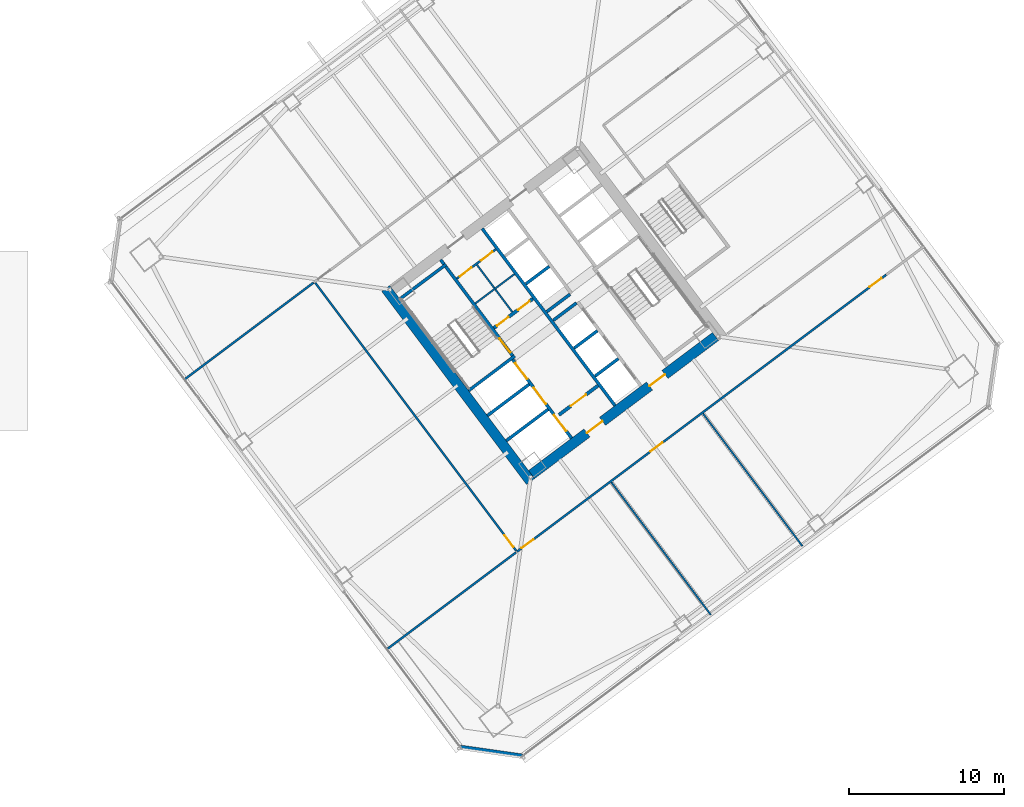
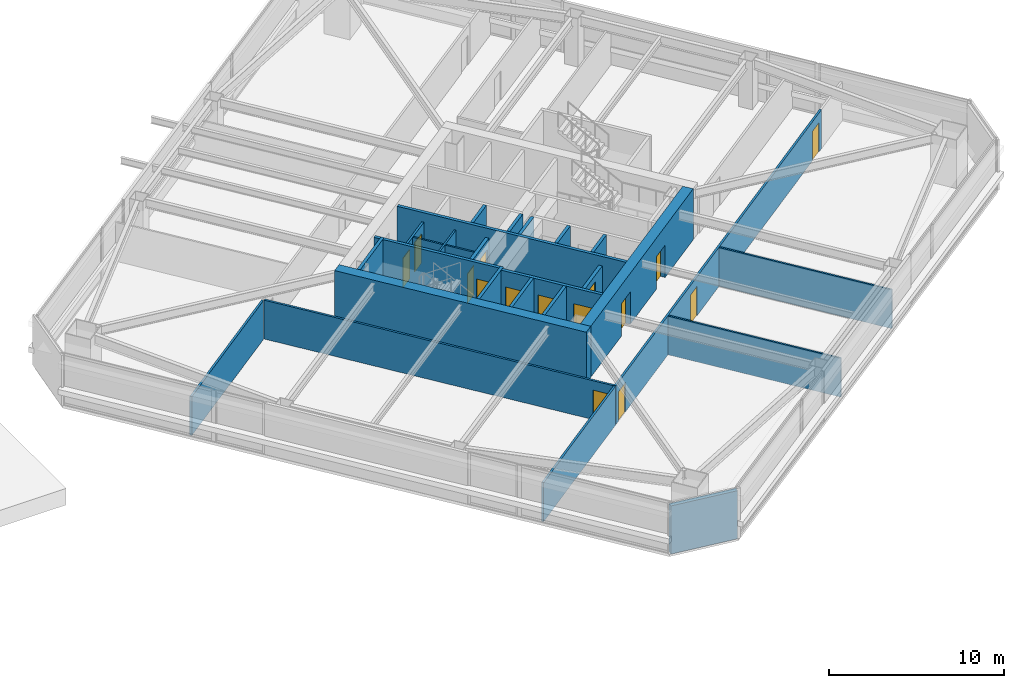
# One storey, part 36 of 46: 26 walls, 15 doors, 15 openings.
"""IFC4 building model written with IfcOpenShell, lengths in metres."""

from ifc_helpers import new_model, si_unit, direction, frame, frame_2d, origin, place, context, subcontext, project, spatial, rectangle, extrude, material, layer, layer_set, type_object, element, fill, save


model = new_model("IFC4")

# Units and contexts
model_context = context("Model", 3, precision=1e-05, world=origin(), true_north=direction((0.0, 1.0)))
body_context = subcontext(model_context, "Body", "Model", "MODEL_VIEW")
ifc_project = project(units=[si_unit("LENGTHUNIT", "METRE"), si_unit("AREAUNIT", "SQUARE_METRE"), si_unit("VOLUMEUNIT", "CUBIC_METRE"), si_unit("PLANEANGLEUNIT", "RADIAN"), si_unit("MASSUNIT", "GRAM", prefix="KILO")], contexts=[model_context])

# Site, building, storey
site_placement = place(None, origin())
site = spatial("IfcSite", under=ifc_project, at=site_placement, CompositionType="ELEMENT")
building_placement = place(site_placement, origin())
building = spatial("IfcBuilding", under=site, at=building_placement, Name="Tashvorn Skyway Center", CompositionType="ELEMENT")
storey_placement = place(building_placement, frame((0.0, 0.0, 31.699951171875)))
storey = spatial("IfcBuildingStorey", under=building, at=storey_placement, Name="L07", CompositionType="ELEMENT", Elevation=31.699951171875)

# Wall
ifc_material_1 = material(Name="Concrete C60/75", Category="concrete")
ifc_layer_1 = layer(ifc_material_1, 0.64990234375)
ifc_layer_set_1 = layer_set([ifc_layer_1], Name="Concrete C60/75")
wall_type_1 = type_object("IfcWallType", Name="WALL-CORE-650", PredefinedType="SHEAR", material=ifc_layer_set_1)
wall_1_placement = place(storey_placement, frame((112.47607421875, 21.10693359375, 0.0), z_axis=(0.0, 0.0, 1.0), x_axis=(-0.600005007985, 0.799996243986, 0.0)))
element("IfcWall", 1, at=wall_1_placement, inside=storey, type_object=wall_type_1, Name="Tower 2 L07 West Core Shear Wall", PredefinedType="SHEAR", context=body_context, shape_type="SweptSolid", body=[
    extrude(rectangle(XDim=15.60009765625, YDim=0.64990234375, at=frame_2d((7.800048828125, 0.0))), origin(), (0.0, 0.0, 1.0), 3.550048828125),
])

# Wall, openings, doors
wall_2_placement = place(storey_placement, frame((124.428955078125, 30.47802734375, 0.0), z_axis=(0.0, 0.0, 1.0), x_axis=(-0.799998028465, -0.600002628705, 0.0)))
wall_2 = element("IfcWall", 2, at=wall_2_placement, inside=storey, type_object=wall_type_1, Name="Tower 2 L07 South Core Shear Wall", PredefinedType="SHEAR", context=body_context, shape_type="SweptSolid", body=[
    extrude(rectangle(XDim=14.85986328125, YDim=0.64990234375, at=frame_2d((7.429931640625, 0.0))), origin(), (0.0, 0.0, 1.0), 3.550048828125),
])
opening_1_placement = place(wall_2_placement, frame((9.1298828125, 0.0, 0.0)))
opening_1 = element("IfcOpeningElement", 3, at=opening_1_placement, cuts=wall_2, Name="Opening D-FFL-1250", PredefinedType="OPENING", context=body_context, shape_type="SweptSolid", body=[
    extrude(rectangle(XDim=1.25, YDim=2.25, at=frame_2d((0.625, 1.125))), frame((0.0, 0.3349609375, 0.0), z_axis=(0.0, -1.0, 0.0), x_axis=(1.0, 0.0, 0.0)), (0.0, 0.0, 1.0), 0.669921875),
])
opening_2_placement = place(wall_2_placement, frame((4.080078125, 0.0, 0.0)))
opening_2 = element("IfcOpeningElement", 4, at=opening_2_placement, cuts=wall_2, Name="Opening D-FFL-1250", PredefinedType="OPENING", context=body_context, shape_type="SweptSolid", body=[
    extrude(rectangle(XDim=1.25, YDim=2.25, at=frame_2d((0.625, 1.125))), frame((0.0, 0.3349609375, 0.0), z_axis=(0.0, -1.0, 0.0), x_axis=(1.0, 0.0, 0.0)), (0.0, 0.0, 1.0), 0.669921875),
])
ifc_material_2 = material(Name="Hollow galvanized steel fire door assembly", Category="steel")
door_type_1 = type_object("IfcDoorType", Name="DOOR-FFL-1250", OperationType="NOTDEFINED", PredefinedType="DOOR", material=ifc_material_2)
door_1_placement = place(opening_1_placement, origin())
door_1 = element("IfcDoor", 5, at=door_1_placement, inside=storey, type_object=door_type_1, Name="Tower 2 L07 Core South Firefighting Exit Door", OperationType="SINGLE_SWING_LEFT", OverallHeight=2.25, OverallWidth=1.25, PredefinedType="DOOR", context=body_context, shape_type="SweptSolid", body=[
    extrude(rectangle(XDim=1.25, YDim=2.25, at=frame_2d((0.625, 1.125))), frame((0.0, 0.02490234375, 0.0), z_axis=(0.0, -1.0, 0.0), x_axis=(1.0, 0.0, 0.0)), (0.0, 0.0, 1.0), 0.050048828125),
])
fill(opening_1, door_1)
door_2_placement = place(opening_2_placement, origin())
door_2 = element("IfcDoor", 6, at=door_2_placement, inside=storey, type_object=door_type_1, Name="Tower 2 L07 Core South Lift Lobby Door", OperationType="SINGLE_SWING_RIGHT", OverallHeight=2.25, OverallWidth=1.25, PredefinedType="DOOR", context=body_context, shape_type="SweptSolid", body=[
    extrude(rectangle(XDim=1.25, YDim=2.25, at=frame_2d((0.625, 1.125))), frame((0.0, 0.02490234375, 0.0), z_axis=(0.0, -1.0, 0.0), x_axis=(1.0, 0.0, 0.0)), (0.0, 0.0, 1.0), 0.050048828125),
])
fill(opening_2, door_2)

# Wall
ifc_material_3 = material(Name="Precast concrete C40/50", Category="concrete")
ifc_layer_2 = layer(ifc_material_3, 0.280029296875)
ifc_layer_set_2 = layer_set([ifc_layer_2], Name="Precast concrete C40/50")
wall_type_2 = type_object("IfcWallType", Name="WALL-EXT-280", PredefinedType="SOLIDWALL", material=ifc_layer_set_2)
wall_3_placement = place(storey_placement, frame((111.97998046875, 3.360107421875, 0.0), z_axis=(0.0, 0.0, 1.0), x_axis=(-0.989955445613, 0.14137968631, 0.0)))
element("IfcWall", 7, at=wall_3_placement, inside=storey, type_object=wall_type_2, Name="Tower 2 L07 SW Precast Chamfer Wall", PredefinedType="SOLIDWALL", context=body_context, shape_type="SweptSolid", body=[
    extrude(rectangle(XDim=4.101318359375, YDim=0.280029296875, at=frame_2d((2.05078125, 0.0))), origin(), (0.0, 0.0, 1.0), 3.35009765625),
])

# Wall, openings, doors
ifc_material_4 = material(Name="Concrete C40/50", Category="concrete")
ifc_layer_3 = layer(ifc_material_4, 0.219970703125)
ifc_layer_set_3 = layer_set([ifc_layer_3], Name="Concrete C40/50")
wall_type_3 = type_object("IfcWallType", Name="WALL-FFL-220", PredefinedType="SOLIDWALL", material=ifc_layer_set_3)
wall_4_placement = place(storey_placement, frame((110.10400390625, 31.028076171875, 0.0), z_axis=(0.0, 0.0, 1.0), x_axis=(0.800018601094, 0.59997519774, 0.0)))
wall_4 = element("IfcWall", 8, at=wall_4_placement, inside=storey, type_object=wall_type_3, Name="Tower 2 L07 Firefighting Lobby North Wall", PredefinedType="SOLIDWALL", context=body_context, shape_type="SweptSolid", body=[
    extrude(rectangle(XDim=3.14990234375, YDim=0.219970703125, at=frame_2d((1.574951171875, 0.0))), origin(), (0.0, 0.0, 1.0), 2.703125),
])
opening_3_placement = place(wall_4_placement, frame((0.25, 0.0, 0.0)))
opening_3 = element("IfcOpeningElement", 9, at=opening_3_placement, cuts=wall_4, Name="Opening D-RT-950", PredefinedType="OPENING", context=body_context, shape_type="SweptSolid", body=[
    extrude(rectangle(XDim=0.949951171875, YDim=2.050048828125, at=frame_2d((0.47509765625, 1.02490234375))), frame((0.0, 0.119873046875, 0.0), z_axis=(0.0, -1.0, 0.0), x_axis=(1.0, 0.0, 0.0)), (0.0, 0.0, 1.0), 0.239990234375),
])
opening_4_placement = place(wall_4_placement, frame((1.949951171875, 0.0, 0.0)))
opening_4 = element("IfcOpeningElement", 10, at=opening_4_placement, cuts=wall_4, Name="Opening D-RT-950", PredefinedType="OPENING", context=body_context, shape_type="SweptSolid", body=[
    extrude(rectangle(XDim=0.949951171875, YDim=2.050048828125, at=frame_2d((0.47509765625, 1.02490234375))), frame((0.0, 0.119873046875, 0.0), z_axis=(0.0, -1.0, 0.0), x_axis=(1.0, 0.0, 0.0)), (0.0, 0.0, 1.0), 0.239990234375),
])
door_type_2 = type_object("IfcDoorType", Name="DOOR-RATED-950", OperationType="NOTDEFINED", PredefinedType="DOOR", material=ifc_material_2)
door_3_placement = place(opening_3_placement, origin())
door_3 = element("IfcDoor", 11, at=door_3_placement, inside=storey, type_object=door_type_2, Name="Tower 2 L07 Core Mail Room Door", OperationType="SINGLE_SWING_LEFT", OverallHeight=2.050048828125, OverallWidth=0.949951171875, PredefinedType="DOOR", context=body_context, shape_type="SweptSolid", body=[
    extrude(rectangle(XDim=0.949951171875, YDim=2.050048828125, at=frame_2d((0.47509765625, 1.02490234375))), frame((0.0, 0.02490234375, 0.0), z_axis=(0.0, -1.0, 0.0), x_axis=(1.0, 0.0, 0.0)), (0.0, 0.0, 1.0), 0.050048828125),
])
fill(opening_3, door_3)
door_4_placement = place(opening_4_placement, origin())
door_4 = element("IfcDoor", 12, at=door_4_placement, inside=storey, type_object=door_type_2, Name="Tower 2 L07 Core Supply Closet Door", OperationType="SINGLE_SWING_RIGHT", OverallHeight=2.050048828125, OverallWidth=0.949951171875, PredefinedType="DOOR", context=body_context, shape_type="SweptSolid", body=[
    extrude(rectangle(XDim=0.949951171875, YDim=2.050048828125, at=frame_2d((0.47509765625, 1.02490234375))), frame((0.0, 0.02490234375, 0.0), z_axis=(0.0, -1.0, 0.0), x_axis=(1.0, 0.0, 0.0)), (0.0, 0.0, 1.0), 0.050048828125),
])
fill(opening_4, door_4)

# Wall, opening, door
wall_5_placement = place(storey_placement, frame((114.31591796875, 25.412109375, 0.0), z_axis=(0.0, 0.0, 1.0), x_axis=(0.800018601094, 0.59997519774, 0.0)))
wall_5 = element("IfcWall", 13, at=wall_5_placement, inside=storey, type_object=wall_type_3, Name="Tower 2 L07 Firefighting Lobby South Wall", PredefinedType="SOLIDWALL", context=body_context, shape_type="SweptSolid", body=[
    extrude(rectangle(XDim=3.14990234375, YDim=0.219970703125, at=frame_2d((1.574951171875, 0.0))), origin(), (0.0, 0.0, 1.0), 2.703125),
])
opening_5_placement = place(wall_5_placement, frame((0.949951171875, 0.0, 0.0)))
opening_5 = element("IfcOpeningElement", 14, at=opening_5_placement, cuts=wall_5, Name="Opening D-FFL-1250", PredefinedType="OPENING", context=body_context, shape_type="SweptSolid", body=[
    extrude(rectangle(XDim=1.25, YDim=2.25, at=frame_2d((0.625, 1.125))), frame((0.0, 0.119873046875, 0.0), z_axis=(0.0, -1.0, 0.0), x_axis=(1.0, 0.0, 0.0)), (0.0, 0.0, 1.0), 0.239990234375),
])
door_5_placement = place(opening_5_placement, origin())
door_5 = element("IfcDoor", 15, at=door_5_placement, inside=storey, type_object=door_type_1, Name="Tower 2 L07 Firefighting Lobby Egress Door", OperationType="SINGLE_SWING_LEFT", OverallHeight=2.25, OverallWidth=1.25, PredefinedType="DOOR", context=body_context, shape_type="SweptSolid", body=[
    extrude(rectangle(XDim=1.25, YDim=2.25, at=frame_2d((0.625, 1.125))), frame((0.0, 0.02490234375, 0.0), z_axis=(0.0, -1.0, 0.0), x_axis=(1.0, 0.0, 0.0)), (0.0, 0.0, 1.0), 0.050048828125),
])
fill(opening_5, door_5)

# Walls
ifc_material_5 = material(Name="Gypsum board on cold-formed steel stud framing", Category="steel")
ifc_layer_4 = layer(ifc_material_5, 0.110107421875)
ifc_layer_set_4 = layer_set([ifc_layer_4], Name="Gypsum board on cold-formed steel stud framing")
wall_type_4 = type_object("IfcWallType", Name="WALL-PART-110", PredefinedType="PARTITIONING", material=ifc_layer_set_4)
wall_6_placement = place(storey_placement, frame((124.1279296875, 12.49609375, 0.0), z_axis=(0.0, 0.0, 1.0), x_axis=(-0.600003650761, 0.799997261916, 0.0)))
element("IfcWall", 16, at=wall_6_placement, inside=storey, type_object=wall_type_4, Name="Tower 2 L07 South Suite Partition 1", PredefinedType="PARTITIONING", context=body_context, shape_type="SweptSolid", body=[
    extrude(rectangle(XDim=10.69970703125, YDim=0.110107421875, at=frame_2d((5.349853515625, 0.0))), origin(), (0.0, 0.0, 1.0), 2.703125),
])
wall_7_placement = place(storey_placement, frame((130.048095703125, 16.93603515625, 0.0), z_axis=(0.0, 0.0, 1.0), x_axis=(-0.600007301277, 0.79999452399, 0.0)))
element("IfcWall", 17, at=wall_7_placement, inside=storey, type_object=wall_type_4, Name="Tower 2 L07 South Suite Partition 2", PredefinedType="PARTITIONING", context=body_context, shape_type="SweptSolid", body=[
    extrude(rectangle(XDim=10.7001953125, YDim=0.110107421875, at=frame_2d((5.35009765625, 0.0))), origin(), (0.0, 0.0, 1.0), 2.703125),
])

# Wall, openings, doors
ifc_layer_5 = layer(ifc_material_5, 0.135009765625)
ifc_layer_set_5 = layer_set([ifc_layer_5], Name="Gypsum board on cold-formed steel stud framing")
wall_type_5 = type_object("IfcWallType", Name="WALL-PART-135", PredefinedType="PARTITIONING", material=ifc_layer_set_5)
wall_8_placement = place(storey_placement, frame((135.4599609375, 34.469970703125, 0.0), z_axis=(0.0, 0.0, 1.0), x_axis=(-0.800000982127, -0.599998690494, 0.0)))
wall_8 = element("IfcWall", 18, at=wall_8_placement, inside=storey, type_object=wall_type_5, Name="Tower 2 L07 South Suite Wall", PredefinedType="PARTITIONING", context=body_context, shape_type="SweptSolid", body=[
    extrude(rectangle(XDim=29.830078125, YDim=0.135009765625, at=frame_2d((14.9150390625, 0.0))), origin(), (0.0, 0.0, 1.0), 2.703125),
])
opening_6_placement = place(wall_8_placement, frame((28.5, 0.0, 0.0)))
opening_6 = element("IfcOpeningElement", 19, at=opening_6_placement, cuts=wall_8, Name="Opening D-INT-950", PredefinedType="OPENING", context=body_context, shape_type="SweptSolid", body=[
    extrude(rectangle(XDim=0.949951171875, YDim=2.050048828125, at=frame_2d((0.47509765625, 1.02490234375))), frame((0.0, 0.077392578125, 0.0), z_axis=(0.0, -1.0, 0.0), x_axis=(1.0, 0.0, 0.0)), (0.0, 0.0, 1.0), 0.155029296875),
])
opening_7_placement = place(wall_8_placement, frame((18.074951171875, 0.0, 0.0)))
opening_7 = element("IfcOpeningElement", 20, at=opening_7_placement, cuts=wall_8, Name="Opening D-INT-950", PredefinedType="OPENING", context=body_context, shape_type="SweptSolid", body=[
    extrude(rectangle(XDim=0.949951171875, YDim=2.050048828125, at=frame_2d((0.47509765625, 1.02490234375))), frame((0.0, 0.077392578125, 0.0), z_axis=(0.0, -1.0, 0.0), x_axis=(1.0, 0.0, 0.0)), (0.0, 0.0, 1.0), 0.155029296875),
])
opening_8_placement = place(wall_8_placement, frame((0.3798828125, 0.0, 0.0)))
opening_8 = element("IfcOpeningElement", 21, at=opening_8_placement, cuts=wall_8, Name="Opening D-INT-950", PredefinedType="OPENING", context=body_context, shape_type="SweptSolid", body=[
    extrude(rectangle(XDim=0.949951171875, YDim=2.050048828125, at=frame_2d((0.47509765625, 1.02490234375))), frame((0.0, 0.077392578125, 0.0), z_axis=(0.0, -1.0, 0.0), x_axis=(1.0, 0.0, 0.0)), (0.0, 0.0, 1.0), 0.155029296875),
])
ifc_material_6 = material(Name="Solid-core architectural oak veneer door")
door_type_3 = type_object("IfcDoorType", Name="DOOR-INT-950", OperationType="NOTDEFINED", PredefinedType="DOOR", material=ifc_material_6)
door_6_placement = place(opening_6_placement, origin())
door_6 = element("IfcDoor", 22, at=door_6_placement, inside=storey, type_object=door_type_3, Name="Tower 2 L07 Open Plan Office Door", OperationType="SINGLE_SWING_RIGHT", OverallHeight=2.050048828125, OverallWidth=0.949951171875, PredefinedType="DOOR", context=body_context, shape_type="SweptSolid", body=[
    extrude(rectangle(XDim=0.949951171875, YDim=2.050048828125, at=frame_2d((0.47509765625, 1.02490234375))), frame((0.0, 0.02490234375, 0.0), z_axis=(0.0, -1.0, 0.0), x_axis=(1.0, 0.0, 0.0)), (0.0, 0.0, 1.0), 0.050048828125),
])
fill(opening_6, door_6)
door_7_placement = place(opening_7_placement, origin())
door_7 = element("IfcDoor", 23, at=door_7_placement, inside=storey, type_object=door_type_3, Name="Tower 2 L07 Catering Pantry Door", OperationType="SINGLE_SWING_LEFT", OverallHeight=2.050048828125, OverallWidth=0.949951171875, PredefinedType="DOOR", context=body_context, shape_type="SweptSolid", body=[
    extrude(rectangle(XDim=0.949951171875, YDim=2.050048828125, at=frame_2d((0.47509765625, 1.02490234375))), frame((0.0, 0.02490234375, 0.0), z_axis=(0.0, -1.0, 0.0), x_axis=(1.0, 0.0, 0.0)), (0.0, 0.0, 1.0), 0.050048828125),
])
fill(opening_7, door_7)
door_8_placement = place(opening_8_placement, origin())
door_8 = element("IfcDoor", 24, at=door_8_placement, inside=storey, type_object=door_type_3, Name="Tower 2 L07 Catering Pantry Door", OperationType="SINGLE_SWING_RIGHT", OverallHeight=2.050048828125, OverallWidth=0.949951171875, PredefinedType="DOOR", context=body_context, shape_type="SweptSolid", body=[
    extrude(rectangle(XDim=0.949951171875, YDim=2.050048828125, at=frame_2d((0.47509765625, 1.02490234375))), frame((0.0, 0.02490234375, 0.0), z_axis=(0.0, -1.0, 0.0), x_axis=(1.0, 0.0, 0.0)), (0.0, 0.0, 1.0), 0.050048828125),
])
fill(opening_8, door_8)

# Wall, opening, door
wall_9_placement = place(storey_placement, frame((111.548095703125, 16.635986328125, 0.0), z_axis=(0.0, 0.0, 1.0), x_axis=(-0.600003610192, 0.799997292343, 0.0)))
wall_9 = element("IfcWall", 25, at=wall_9_placement, inside=storey, type_object=wall_type_5, Name="Tower 2 L07 West Inner Suite Wall", PredefinedType="PARTITIONING", context=body_context, shape_type="SweptSolid", body=[
    extrude(rectangle(XDim=21.64013671875, YDim=0.135009765625, at=frame_2d((10.820068359375, 0.0))), origin(), (0.0, 0.0, 1.0), 2.703125),
])
opening_9_placement = place(wall_9_placement, frame((0.300048828125, 0.0, 0.0)))
opening_9 = element("IfcOpeningElement", 26, at=opening_9_placement, cuts=wall_9, Name="Opening D-INT-950", PredefinedType="OPENING", context=body_context, shape_type="SweptSolid", body=[
    extrude(rectangle(XDim=0.949951171875, YDim=2.050048828125, at=frame_2d((0.47509765625, 1.02490234375))), frame((0.0, 0.077392578125, 0.0), z_axis=(0.0, -1.0, 0.0), x_axis=(1.0, 0.0, 0.0)), (0.0, 0.0, 1.0), 0.155029296875),
])
door_9_placement = place(opening_9_placement, origin())
door_9 = element("IfcDoor", 27, at=door_9_placement, inside=storey, type_object=door_type_3, Name="Tower 2 L07 Staff Fitness Club Door", OperationType="SINGLE_SWING_LEFT", OverallHeight=2.050048828125, OverallWidth=0.949951171875, PredefinedType="DOOR", context=body_context, shape_type="SweptSolid", body=[
    extrude(rectangle(XDim=0.949951171875, YDim=2.050048828125, at=frame_2d((0.47509765625, 1.02490234375))), frame((0.0, 0.02490234375, 0.0), z_axis=(0.0, -1.0, 0.0), x_axis=(1.0, 0.0, 0.0)), (0.0, 0.0, 1.0), 0.050048828125),
])
fill(opening_9, door_9)

# Walls
wall_10_placement = place(storey_placement, frame((98.451904296875, 33.964111328125, 0.0), z_axis=(0.0, 0.0, 1.0), x_axis=(-0.799988753532, -0.600014994998, 0.0)))
element("IfcWall", 28, at=wall_10_placement, inside=storey, type_object=wall_type_5, Name="Tower 2 L07 West Suite North Wall", PredefinedType="PARTITIONING", context=body_context, shape_type="SweptSolid", body=[
    extrude(rectangle(XDim=10.420166015625, YDim=0.135009765625, at=frame_2d((5.2099609375, 0.0))), origin(), (0.0, 0.0, 1.0), 2.703125),
])
wall_11_placement = place(storey_placement, frame((103.196044921875, 10.27197265625, 0.0), z_axis=(0.0, 0.0, 1.0), x_axis=(0.8, 0.6, 0.0)))
element("IfcWall", 29, at=wall_11_placement, inside=storey, type_object=wall_type_5, Name="Tower 2 L07 West Suite South Wall", PredefinedType="PARTITIONING", context=body_context, shape_type="SweptSolid", body=[
    extrude(rectangle(XDim=10.419921875, YDim=0.135009765625, at=frame_2d((5.2099609375, 0.0))), origin(), (0.0, 0.0, 1.0), 2.703125),
])
ifc_layer_6 = layer(ifc_material_5, 0.110107421875)
ifc_layer_set_6 = layer_set([ifc_layer_6], Name="Gypsum board on cold-formed steel stud framing")
wall_type_6 = type_object("IfcWallType", Name="WALL-RATED-110", PredefinedType="PARTITIONING", material=ifc_layer_set_6)
wall_12_placement = place(storey_placement, frame((111.2958984375, 32.072021484375, 0.0), z_axis=(0.0, 0.0, 1.0), x_axis=(-0.59995887973, 0.800030838552, 0.0)))
element("IfcWall", 30, at=wall_12_placement, inside=storey, type_object=wall_type_6, Name="Tower 2 L07 Core Cross Vertical", PredefinedType="PARTITIONING", context=body_context, shape_type="SweptSolid", body=[
    extrude(rectangle(XDim=3.7998046875, YDim=0.110107421875, at=frame_2d((1.89990234375, 0.0))), origin(), (0.0, 0.0, 1.0), 2.703125),
])
wall_13_placement = place(storey_placement, frame((108.909912109375, 32.6201171875, 0.0), z_axis=(0.0, 0.0, 1.0), x_axis=(0.800018601094, 0.59997519774, 0.0)))
element("IfcWall", 31, at=wall_13_placement, inside=storey, type_object=wall_type_6, Name="Tower 2 L07 Core Cross Horizontal", PredefinedType="PARTITIONING", context=body_context, shape_type="SweptSolid", body=[
    extrude(rectangle(XDim=3.14990234375, YDim=0.110107421875, at=frame_2d((1.574951171875, 0.0))), origin(), (0.0, 0.0, 1.0), 2.703125),
])

# Wall, openings, doors
ifc_layer_7 = layer(ifc_material_5, 0.135009765625)
ifc_layer_set_7 = layer_set([ifc_layer_7], Name="Gypsum board on cold-formed steel stud framing")
wall_type_7 = type_object("IfcWallType", Name="WALL-RATED-135", PredefinedType="PARTITIONING", material=ifc_layer_set_7)
wall_14_placement = place(storey_placement, frame((107.7099609375, 34.219970703125, 0.0), z_axis=(0.0, 0.0, 1.0), x_axis=(0.799981399002, 0.60002480053, 0.0)))
wall_14 = element("IfcWall", 32, at=wall_14_placement, inside=storey, type_object=wall_type_7, Name="Tower 2 L07 Core Service Lobby Wall", PredefinedType="PARTITIONING", context=body_context, shape_type="SweptSolid", body=[
    extrude(rectangle(XDim=3.150146484375, YDim=0.135009765625, at=frame_2d((1.5751953125, 0.0))), origin(), (0.0, 0.0, 1.0), 2.703125),
])
opening_10_placement = place(wall_14_placement, frame((0.25, 0.0, 0.0)))
opening_10 = element("IfcOpeningElement", 33, at=opening_10_placement, cuts=wall_14, Name="Opening D-RT-950", PredefinedType="OPENING", context=body_context, shape_type="SweptSolid", body=[
    extrude(rectangle(XDim=0.949951171875, YDim=2.050048828125, at=frame_2d((0.47509765625, 1.02490234375))), frame((0.0, 0.077392578125, 0.0), z_axis=(0.0, -1.0, 0.0), x_axis=(1.0, 0.0, 0.0)), (0.0, 0.0, 1.0), 0.155029296875),
])
opening_11_placement = place(wall_14_placement, frame((1.949951171875, 0.0, 0.0)))
opening_11 = element("IfcOpeningElement", 34, at=opening_11_placement, cuts=wall_14, Name="Opening D-RT-950", PredefinedType="OPENING", context=body_context, shape_type="SweptSolid", body=[
    extrude(rectangle(XDim=0.949951171875, YDim=2.050048828125, at=frame_2d((0.47509765625, 1.02490234375))), frame((0.0, 0.077392578125, 0.0), z_axis=(0.0, -1.0, 0.0), x_axis=(1.0, 0.0, 0.0)), (0.0, 0.0, 1.0), 0.155029296875),
])
door_10_placement = place(opening_10_placement, origin())
door_10 = element("IfcDoor", 35, at=door_10_placement, inside=storey, type_object=door_type_2, Name="Tower 2 L07 Core Cleaner Store Door", OperationType="SINGLE_SWING_LEFT", OverallHeight=2.050048828125, OverallWidth=0.949951171875, PredefinedType="DOOR", context=body_context, shape_type="SweptSolid", body=[
    extrude(rectangle(XDim=0.949951171875, YDim=2.050048828125, at=frame_2d((0.47509765625, 1.02490234375))), frame((0.0, 0.02490234375, 0.0), z_axis=(0.0, -1.0, 0.0), x_axis=(1.0, 0.0, 0.0)), (0.0, 0.0, 1.0), 0.050048828125),
])
fill(opening_10, door_10)
door_11_placement = place(opening_11_placement, origin())
door_11 = element("IfcDoor", 36, at=door_11_placement, inside=storey, type_object=door_type_2, Name="Tower 2 L07 Core Accessible WC Door", OperationType="SINGLE_SWING_RIGHT", OverallHeight=2.050048828125, OverallWidth=0.949951171875, PredefinedType="DOOR", context=body_context, shape_type="SweptSolid", body=[
    extrude(rectangle(XDim=0.949951171875, YDim=2.050048828125, at=frame_2d((0.47509765625, 1.02490234375))), frame((0.0, 0.02490234375, 0.0), z_axis=(0.0, -1.0, 0.0), x_axis=(1.0, 0.0, 0.0)), (0.0, 0.0, 1.0), 0.050048828125),
])
fill(opening_11, door_11)

# Walls
ifc_layer_8 = layer(ifc_material_4, 0.199951171875)
ifc_layer_set_8 = layer_set([ifc_layer_8], Name="Concrete C40/50")
wall_type_8 = type_object("IfcWallType", Name="WALL-SHAFT-200", PredefinedType="SOLIDWALL", material=ifc_layer_set_8)
for number, where, z_axis, x_axis, name in (
    (37, (110.906005859375, 23.741943359375, 0.0), (0.0, 0.0, 1.0), (0.8, 0.6, 0.0), "Tower 2 L07 FSAE Shaft Divider"),
    (38, (109.68798828125, 25.365966796875, 0.0), (0.0, 0.0, 1.0), (0.8, 0.6, 0.0), "Tower 2 L07 FSAE Shaft Divider"),
):
    element("IfcWall", number, at=place(storey_placement, frame(where, z_axis=z_axis, x_axis=x_axis)), inside=storey, type_object=wall_type_8, Name=name, PredefinedType="SOLIDWALL", context=body_context, shape_type="SweptSolid", body=[
        extrude(rectangle(XDim=3.380126953125, YDim=0.199951171875, at=frame_2d((1.68994140625, 0.0))), origin(), (0.0, 0.0, 1.0), 3.35009765625),
    ])
wall_15_placement = place(storey_placement, frame((116.64599609375, 27.922119140625, 0.0), z_axis=(0.0, 0.0, 1.0), x_axis=(0.8, 0.6, 0.0)))
element("IfcWall", 39, at=wall_15_placement, inside=storey, type_object=wall_type_8, Name="Tower 2 L07 Low-Rise Shaft Divider", PredefinedType="SOLIDWALL", context=body_context, shape_type="SweptSolid", body=[
    extrude(rectangle(XDim=1.8798828125, YDim=0.199951171875, at=frame_2d((0.93994140625, 0.0))), origin(), (0.0, 0.0, 1.0), 3.35009765625),
])
wall_16_placement = place(storey_placement, frame((115.2958984375, 29.721923828125, 0.0), z_axis=(0.0, 0.0, 1.0), x_axis=(0.799984418148, 0.600020775241, 0.0)))
element("IfcWall", 40, at=wall_16_placement, inside=storey, type_object=wall_type_8, Name="Tower 2 L07 Low-Rise Shaft Divider", PredefinedType="SOLIDWALL", context=body_context, shape_type="SweptSolid", body=[
    extrude(rectangle(XDim=1.880126953125, YDim=0.199951171875, at=frame_2d((0.93994140625, 0.0))), origin(), (0.0, 0.0, 1.0), 3.35009765625),
])
wall_17_placement = place(storey_placement, frame((113.946044921875, 31.52197265625, 0.0), z_axis=(0.0, 0.0, 1.0), x_axis=(0.8, 0.6, 0.0)))
element("IfcWall", 41, at=wall_17_placement, inside=storey, type_object=wall_type_8, Name="Tower 2 L07 Low-Rise Shaft Divider", PredefinedType="SOLIDWALL", context=body_context, shape_type="SweptSolid", body=[
    extrude(rectangle(XDim=1.8798828125, YDim=0.199951171875, at=frame_2d((0.93994140625, 0.0))), origin(), (0.0, 0.0, 1.0), 3.35009765625),
])
wall_18_placement = place(storey_placement, frame((113.52587890625, 32.08203125, 0.0), z_axis=(0.0, 0.0, 1.0), x_axis=(0.800046745961, 0.599937666993, 0.0)))
element("IfcWall", 42, at=wall_18_placement, inside=storey, type_object=wall_type_8, Name="Tower 2 L07 Mid-Rise Shaft Divider", PredefinedType="SOLIDWALL", context=body_context, shape_type="SweptSolid", body=[
    extrude(rectangle(XDim=1.880126953125, YDim=0.199951171875, at=frame_2d((0.93994140625, 0.0))), origin(), (0.0, 0.0, 1.0), 3.35009765625),
])
wall_19_placement = place(storey_placement, frame((112.176025390625, 33.882080078125, 0.0), z_axis=(0.0, 0.0, 1.0), x_axis=(0.8, 0.6, 0.0)))
element("IfcWall", 43, at=wall_19_placement, inside=storey, type_object=wall_type_8, Name="Tower 2 L07 Mid-Rise Shaft Divider", PredefinedType="SOLIDWALL", context=body_context, shape_type="SweptSolid", body=[
    extrude(rectangle(XDim=1.8798828125, YDim=0.199951171875, at=frame_2d((0.93994140625, 0.0))), origin(), (0.0, 0.0, 1.0), 3.35009765625),
])

# Wall, opening, door
ifc_layer_9 = layer(ifc_material_4, 0.199951171875)
ifc_layer_set_9 = layer_set([ifc_layer_9], Name="Concrete C40/50")
wall_type_9 = type_object("IfcWallType", Name="WALL-STSHF-200", PredefinedType="SHEAR", material=ifc_layer_set_9)
wall_20_placement = place(storey_placement, frame((111.43994140625, 29.080078125, 0.0), z_axis=(0.0, 0.0, 1.0), x_axis=(-0.600009827119, 0.799992629566, 0.0)))
wall_20 = element("IfcWall", 44, at=wall_20_placement, inside=storey, type_object=wall_type_9, Name="Tower 2 L07 Stair 1 Enclosure Wall", PredefinedType="SHEAR", context=body_context, shape_type="SweptSolid", body=[
    extrude(rectangle(XDim=7.949951171875, YDim=0.199951171875, at=frame_2d((3.97509765625, 0.0))), origin(), (0.0, 0.0, 1.0), 3.35009765625),
])
opening_12_placement = place(wall_20_placement, frame((0.449951171875, 0.0, 0.0)))
opening_12 = element("IfcOpeningElement", 45, at=opening_12_placement, cuts=wall_20, Name="Opening D-ST-1150", PredefinedType="OPENING", context=body_context, shape_type="SweptSolid", body=[
    extrude(rectangle(XDim=1.14990234375, YDim=2.199951171875, at=frame_2d((0.574951171875, 1.10009765625))), frame((0.0, 0.10986328125, 0.0), z_axis=(0.0, -1.0, 0.0), x_axis=(1.0, 0.0, 0.0)), (0.0, 0.0, 1.0), 0.219970703125),
])
door_type_4 = type_object("IfcDoorType", Name="DOOR-STAIR-1150", OperationType="NOTDEFINED", PredefinedType="DOOR", material=ifc_material_2)
door_12_placement = place(opening_12_placement, origin())
door_12 = element("IfcDoor", 46, at=door_12_placement, inside=storey, type_object=door_type_4, Name="Tower 2 L07 Exit Stair 1 Door", OperationType="SINGLE_SWING_RIGHT", OverallHeight=2.199951171875, OverallWidth=1.14990234375, PredefinedType="DOOR", context=body_context, shape_type="SweptSolid", body=[
    extrude(rectangle(XDim=1.14990234375, YDim=2.199951171875, at=frame_2d((0.574951171875, 1.10009765625))), frame((0.0, 0.02490234375, 0.0), z_axis=(0.0, -1.0, 0.0), x_axis=(1.0, 0.0, 0.0)), (0.0, 0.0, 1.0), 0.050048828125),
])
fill(opening_12, door_12)

# Walls
for number, where, z_axis, x_axis, name in (
    (47, (108.47607421875, 26.98193359375, 0.0), (0.0, 0.0, 1.0), (0.799984290658, 0.600020945218, 0.0), "Tower 2 L07 Stair 1 South Wall"),
    (48, (104.035888671875, 32.902099609375, 0.0), (0.0, 0.0, 1.0), (0.800039270442, 0.59994763584, 0.0), "Tower 2 L07 Stair 1 North Wall"),
):
    element("IfcWall", number, at=place(storey_placement, frame(where, z_axis=z_axis, x_axis=x_axis)), inside=storey, type_object=wall_type_9, Name=name, PredefinedType="SHEAR", context=body_context, shape_type="SweptSolid", body=[
        extrude(rectangle(XDim=3.72998046875, YDim=0.199951171875, at=frame_2d((1.864990234375, 0.0))), origin(), (0.0, 0.0, 1.0), 3.35009765625),
    ])
wall_21_placement = place(storey_placement, frame((117.93798828125, 26.01611328125, 0.0), z_axis=(0.0, 0.0, 1.0), x_axis=(-0.600005463273, 0.799995902516, 0.0)))
element("IfcWall", 49, at=wall_21_placement, inside=storey, type_object=wall_type_9, Name="Tower 2 L07 Firefighting Lobby East Smoke Barrier", PredefinedType="SHEAR", context=body_context, shape_type="SweptSolid", body=[
    extrude(rectangle(XDim=14.300048828125, YDim=0.199951171875, at=frame_2d((7.14990234375, 0.0))), origin(), (0.0, 0.0, 1.0), 3.35009765625),
])

# Wall, openings, doors
wall_22_placement = place(storey_placement, frame((115.1298828125, 23.909912109375, 0.0), z_axis=(0.0, 0.0, 1.0), x_axis=(-0.599975393228, 0.800018454488, 0.0)))
wall_22 = element("IfcWall", 50, at=wall_22_placement, inside=storey, type_object=wall_type_9, Name="Tower 2 L07 FSAE and Goods Shaft Front Wall", PredefinedType="SHEAR", context=body_context, shape_type="SweptSolid", body=[
    extrude(rectangle(XDim=6.349853515625, YDim=0.199951171875, at=frame_2d((3.1748046875, 0.0))), origin(), (0.0, 0.0, 1.0), 3.35009765625),
])
opening_13_placement = place(wall_22_placement, frame((4.77490234375, 0.0, 0.0)))
opening_13 = element("IfcOpeningElement", 51, at=opening_13_placement, cuts=wall_22, Name="Opening LD-FF-T2-1-L07", PredefinedType="OPENING", context=body_context, shape_type="SweptSolid", body=[
    extrude(rectangle(XDim=1.300048828125, YDim=2.25, at=frame_2d((0.64990234375, 1.125))), frame((0.0, 0.10986328125, 0.0), z_axis=(0.0, -1.0, 0.0), x_axis=(1.0, 0.0, 0.0)), (0.0, 0.0, 1.0), 0.219970703125),
])
opening_14_placement = place(wall_22_placement, frame((2.77490234375, 0.0, 0.0)))
opening_14 = element("IfcOpeningElement", 52, at=opening_14_placement, cuts=wall_22, Name="Opening LD-FF-T2-2-L07", PredefinedType="OPENING", context=body_context, shape_type="SweptSolid", body=[
    extrude(rectangle(XDim=1.300048828125, YDim=2.25, at=frame_2d((0.64990234375, 1.125))), frame((0.0, 0.10986328125, 0.0), z_axis=(0.0, -1.0, 0.0), x_axis=(1.0, 0.0, 0.0)), (0.0, 0.0, 1.0), 0.219970703125),
])
opening_15_placement = place(wall_22_placement, frame((0.574951171875, 0.0, 0.0)))
opening_15 = element("IfcOpeningElement", 53, at=opening_15_placement, cuts=wall_22, Name="Opening LD-GD-T2-1-L07", PredefinedType="OPENING", context=body_context, shape_type="SweptSolid", body=[
    extrude(rectangle(XDim=1.300048828125, YDim=2.25, at=frame_2d((0.64990234375, 1.125))), frame((0.0, 0.10986328125, 0.0), z_axis=(0.0, -1.0, 0.0), x_axis=(1.0, 0.0, 0.0)), (0.0, 0.0, 1.0), 0.219970703125),
])
ifc_material_7 = material(Name="Stainless steel heavy-duty landing door", Category="steel")
door_type_5 = type_object("IfcDoorType", Name="DOOR-LIFT-1300", OperationType="SLIDING_TO_LEFT", PredefinedType="DOOR", material=ifc_material_7)
door_13_placement = place(opening_13_placement, origin())
door_13 = element("IfcDoor", 54, at=door_13_placement, inside=storey, type_object=door_type_5, Name="Lift FF-T2-1 L07 Landing Door", OperationType="SLIDING_TO_LEFT", OverallHeight=2.25, OverallWidth=1.300048828125, PredefinedType="DOOR", context=body_context, shape_type="SweptSolid", body=[
    extrude(rectangle(XDim=1.300048828125, YDim=2.25, at=frame_2d((0.64990234375, 1.125))), frame((0.0, 0.02490234375, 0.0), z_axis=(0.0, -1.0, 0.0), x_axis=(1.0, 0.0, 0.0)), (0.0, 0.0, 1.0), 0.050048828125),
])
fill(opening_13, door_13)
door_14_placement = place(opening_14_placement, origin())
door_14 = element("IfcDoor", 55, at=door_14_placement, inside=storey, type_object=door_type_5, Name="Lift FF-T2-2 L07 Landing Door", OperationType="SLIDING_TO_LEFT", OverallHeight=2.25, OverallWidth=1.300048828125, PredefinedType="DOOR", context=body_context, shape_type="SweptSolid", body=[
    extrude(rectangle(XDim=1.300048828125, YDim=2.25, at=frame_2d((0.64990234375, 1.125))), frame((0.0, 0.02490234375, 0.0), z_axis=(0.0, -1.0, 0.0), x_axis=(1.0, 0.0, 0.0)), (0.0, 0.0, 1.0), 0.050048828125),
])
fill(opening_14, door_14)
door_15_placement = place(opening_15_placement, origin())
door_15 = element("IfcDoor", 56, at=door_15_placement, inside=storey, type_object=door_type_5, Name="Lift GD-T2-1 L07 Landing Door", OperationType="SLIDING_TO_LEFT", OverallHeight=2.25, OverallWidth=1.300048828125, PredefinedType="DOOR", context=body_context, shape_type="SweptSolid", body=[
    extrude(rectangle(XDim=1.300048828125, YDim=2.25, at=frame_2d((0.64990234375, 1.125))), frame((0.0, 0.02490234375, 0.0), z_axis=(0.0, -1.0, 0.0), x_axis=(1.0, 0.0, 0.0)), (0.0, 0.0, 1.0), 0.050048828125),
])
fill(opening_15, door_15)

save(model, "model.ifc")
